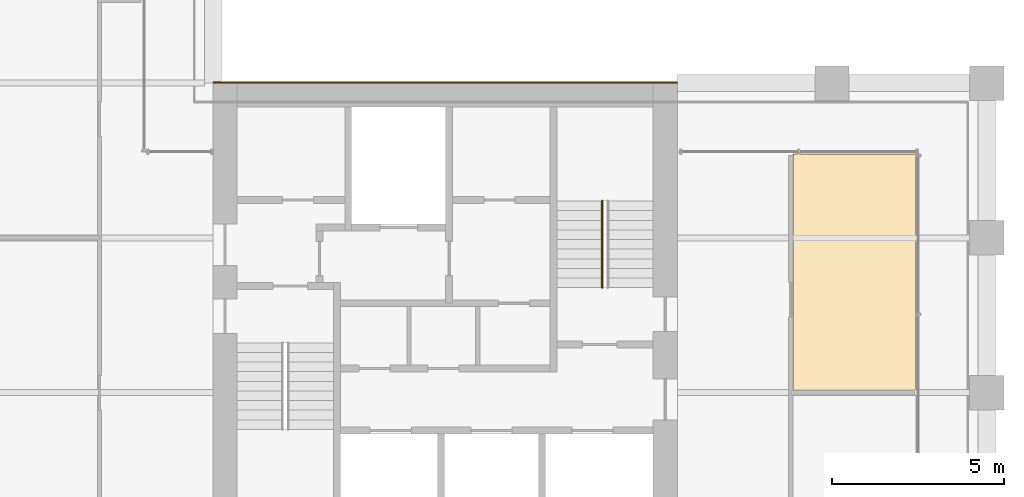
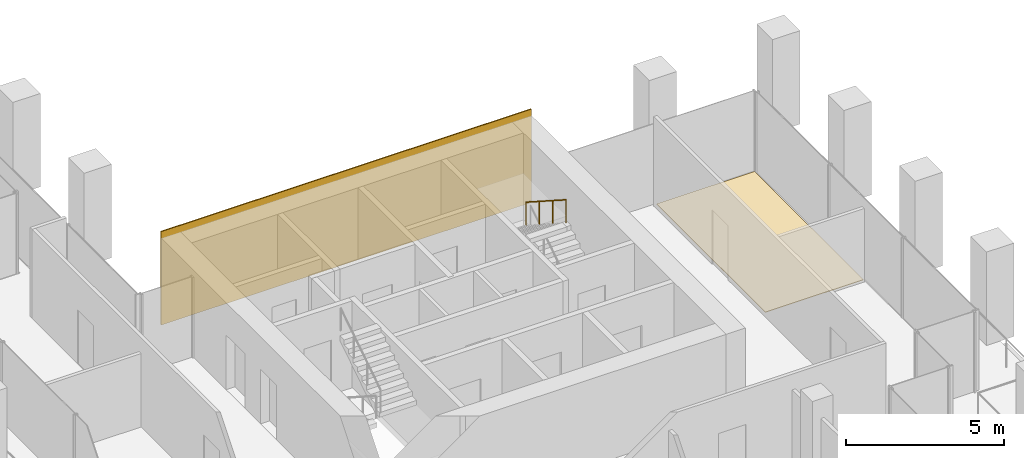
# One storey, part 46 of 46: 2 coverings, 1 railing.
"""IFC4 building model written with IfcOpenShell, lengths in metres."""

import ifcopenshell
import ifcopenshell.guid

model = None  # the IFC model being written
_history = None  # IfcOwnerHistory: only IFC2X3 demands one
_inside = {}  # id of a spatial element -> (the spatial element, [elements in it])
_under = {}  # id of a project, library or spatial element -> (it, [spatial elements below it])
_declared = {}  # id of a project -> (the project, [libraries it declares])
_typed = {}  # id of a type object -> (the type object, [elements of that type])
_made_of = {}  # id of a material, layer set ... -> (it, [elements and type objects made of it])


def new_model(schema):
    """Start an empty IFC model of exactly this schema.

    Asked for "IFC4X3", IfcOpenShell would pick the latest addendum, in which some entities
    have other attributes; the version numbers below select the first issue.
    IFC2X3 requires an IfcOwnerHistory on every rooted entity: one is made here for all.
    """
    global model, _history
    if schema == "IFC4X3":
        model = ifcopenshell.file(schema_version=(4, 3, 0, 0))
    else:
        model = ifcopenshell.file(schema=schema)
    _inside.clear()
    _under.clear()
    _declared.clear()
    _typed.clear()
    _made_of.clear()
    _history = None
    if model.schema == "IFC2X3":
        org = make("IfcOrganization", Name="unknown")
        user = make(
            "IfcPersonAndOrganization",
            ThePerson=make("IfcPerson", FamilyName="unknown"),
            TheOrganization=org,
        )
        app = make(
            "IfcApplication",
            ApplicationDeveloper=org,
            Version="unknown",
            ApplicationFullName="unknown",
            ApplicationIdentifier="unknown",
        )
        _history = make(
            "IfcOwnerHistory",
            OwningUser=user,
            OwningApplication=app,
            ChangeAction="ADDED",
            CreationDate=0,
        )
    return model


def make(cls, **values):
    """One entity of the class cls with the attributes given. An attribute that is None is left unset."""
    return model.create_entity(
        cls, **{name: value for name, value in values.items() if value is not None}
    )


def rooted(cls, **values):
    """An entity with a GlobalId (a new one), such as an element, a storey or a relation."""
    return make(cls, GlobalId=ifcopenshell.guid.new(), OwnerHistory=_history, **values)


def si_unit(unit_type, name, prefix=None):
    """IfcSIUnit, for example si_unit("LENGTHUNIT", "METRE", prefix="MILLI")."""
    return make("IfcSIUnit", UnitType=unit_type, Prefix=prefix, Name=name)


def assignment(units):
    """IfcUnitAssignment: the units of a project."""
    return None if units is None else make("IfcUnitAssignment", Units=units)


def point(xyz):
    """IfcCartesianPoint."""
    return None if xyz is None else make("IfcCartesianPoint", Coordinates=xyz)


def direction(xyz):
    """IfcDirection."""
    return None if xyz is None else make("IfcDirection", DirectionRatios=xyz)


def frame(location, z_axis=None, x_axis=None):
    """IfcAxis2Placement3D, a coordinate frame: its origin and axes. An axis left out is left unset."""
    return make(
        "IfcAxis2Placement3D",
        Location=point(location),
        Axis=direction(z_axis),
        RefDirection=direction(x_axis),
    )


def frame_2d(location, x_axis=None):
    """IfcAxis2Placement2D, a coordinate frame in the plane: its origin and x axis."""
    return make(
        "IfcAxis2Placement2D", Location=point(location), RefDirection=direction(x_axis)
    )


def origin():
    """The frame at (0, 0, 0) with its axes left unset."""
    return frame((0.0, 0.0, 0.0))


def origin_2d():
    """The frame at (0, 0) in the plane with its x axis left unset."""
    return frame_2d((0.0, 0.0))


def place(relative_to, where):
    """IfcLocalPlacement: puts the frame where relative to a parent placement (None: the world)."""
    return make(
        "IfcLocalPlacement", PlacementRelTo=relative_to, RelativePlacement=where
    )


def context(
    kind, dimensions, precision=None, world=None, true_north=None, identifier=None
):
    """IfcGeometricRepresentationContext, for example the 3D "Model" context."""
    return make(
        "IfcGeometricRepresentationContext",
        ContextIdentifier=identifier,
        ContextType=kind,
        CoordinateSpaceDimension=dimensions,
        Precision=precision,
        WorldCoordinateSystem=world,
        TrueNorth=true_north,
    )


def subcontext(parent, identifier, kind, view, scale=None):
    """IfcGeometricRepresentationSubContext, for example "Body" below "Model"."""
    return make(
        "IfcGeometricRepresentationSubContext",
        ContextIdentifier=identifier,
        ContextType=kind,
        ParentContext=parent,
        TargetScale=scale,
        TargetView=view,
    )


def project(units=None, contexts=None):
    """IfcProject with its units and contexts."""
    return rooted(
        "IfcProject",
        Name="project",
        RepresentationContexts=contexts,
        UnitsInContext=assignment(units),
    )


def spatial(cls, under=None, at=None, **own):
    """A site, building, storey or space (cls), placed at a placement, below another one or the project."""
    s = rooted(cls, ObjectPlacement=at, **own)
    if under is not None:
        _under.setdefault(under.id(), (under, []))[1].append(s)
    return s


def polyline(points):
    """IfcPolyline through the points."""
    return make("IfcPolyline", Points=[point(p) for p in points])


def profile(cls, at=None, kind="AREA", **sizes):
    """A parametric profile (cls). Its sizes go by their IFC names, for example OverallWidth=200.0."""
    return make(cls, ProfileType=kind, Position=at, **sizes)


def rectangle(**sizes):
    """IfcRectangleProfileDef."""
    return profile("IfcRectangleProfileDef", **sizes)


def circle(**sizes):
    """IfcCircleProfileDef."""
    return profile("IfcCircleProfileDef", **sizes)


def outline(outer, holes=None, kind="AREA"):
    """IfcArbitraryClosedProfileDef: a profile drawn as a closed curve; with holes, ...WithVoids."""
    if holes is None:
        return make("IfcArbitraryClosedProfileDef", ProfileType=kind, OuterCurve=outer)
    return make(
        "IfcArbitraryProfileDefWithVoids",
        ProfileType=kind,
        OuterCurve=outer,
        InnerCurves=holes,
    )


def extrude(swept, where, along, depth):
    """IfcExtrudedAreaSolid: the profile swept, set in the frame where, extruded along a direction by depth."""
    return make(
        "IfcExtrudedAreaSolid",
        SweptArea=swept,
        Position=where,
        ExtrudedDirection=direction(along),
        Depth=depth,
    )


def shape(context_of_items, identifier, shape_type, items):
    """IfcShapeRepresentation: the items that make up one representation, for example the "Body"."""
    return make(
        "IfcShapeRepresentation",
        ContextOfItems=context_of_items,
        RepresentationIdentifier=identifier,
        RepresentationType=shape_type,
        Items=items,
    )


def source(mapping_origin, context_of_items, identifier, shape_type, items):
    """IfcRepresentationMap: a shape defined once, which mapped items show again and again."""
    return make(
        "IfcRepresentationMap",
        MappingOrigin=mapping_origin,
        MappedRepresentation=shape(context_of_items, identifier, shape_type, items),
    )


def transform(
    local_origin,
    x_axis=None,
    y_axis=None,
    z_axis=None,
    scale=None,
    scale2=None,
    scale3=None,
    uniform=True,
):
    """IfcCartesianTransformationOperator3D, or its non-uniform kind. x_axis, y_axis, z_axis: its Axis1, 2, 3."""
    if uniform:
        return make(
            "IfcCartesianTransformationOperator3D",
            Axis1=direction(x_axis),
            Axis2=direction(y_axis),
            LocalOrigin=point(local_origin),
            Scale=scale,
            Axis3=direction(z_axis),
        )
    return make(
        "IfcCartesianTransformationOperator3DnonUniform",
        Axis1=direction(x_axis),
        Axis2=direction(y_axis),
        LocalOrigin=point(local_origin),
        Scale=scale,
        Axis3=direction(z_axis),
        Scale2=scale2,
        Scale3=scale3,
    )


def mapped(mapping_source, mapping_target):
    """IfcMappedItem: shows the shape of a source again, moved by a transform."""
    return make(
        "IfcMappedItem", MappingSource=mapping_source, MappingTarget=mapping_target
    )


def material(Name=None, Category=None):
    """IfcMaterial."""
    return make("IfcMaterial", Name=Name, Category=Category)


def layer(
    of_material, thickness, ventilated=None, Name=None, Category=None, Priority=None
):
    """IfcMaterialLayer: one layer of a wall or slab, of a material (None: an air gap)."""
    return make(
        "IfcMaterialLayer",
        Material=of_material,
        LayerThickness=thickness,
        IsVentilated=ventilated,
        Name=Name,
        Category=Category,
        Priority=Priority,
    )


def layer_set(layers, Name=None):
    """IfcMaterialLayerSet."""
    return make("IfcMaterialLayerSet", MaterialLayers=layers, LayerSetName=Name)


def made_of(thing, what):
    """Note that an element or type object is made of a material, layer set ...; save() writes the relation."""
    if what is not None:
        _made_of.setdefault(what.id(), (what, []))[1].append(thing)
    return thing


def type_object(cls, material=None, **own):
    """A type object (cls), such as IfcWallType, which elements share."""
    return made_of(rooted(cls, **own), material)


def element(
    cls,
    number,
    at=None,
    inside=None,
    cuts=None,
    type_object=None,
    material=None,
    context=None,
    identifier="Body",
    shape_type=None,
    held_by="IfcProductDefinitionShape",
    body=None,
    shapes=None,
    **own,
):
    """One element of the class cls, such as IfcWall. Its Tag is "e" and its number.

    at: its placement. inside: the storey or other place that contains it. cuts: it is an
    opening in that element (IfcRelVoidsElement). A single representation is given by context,
    identifier, shape_type and body (its items); several are given by shapes. held_by: the class
    of the entity that holds the representations. save() writes the other relations.
    """
    e = rooted(cls, Tag="e%d" % number, ObjectPlacement=at, **own)
    if body is not None:
        shapes = [shape(context, identifier, shape_type, body)]
    if shapes is not None:
        e.Representation = make(held_by, Representations=shapes)
    if inside is not None:
        _inside.setdefault(inside.id(), (inside, []))[1].append(e)
    if cuts is not None:
        rooted(
            "IfcRelVoidsElement", RelatingBuildingElement=cuts, RelatedOpeningElement=e
        )
    if type_object is not None:
        _typed.setdefault(type_object.id(), (type_object, []))[1].append(e)
    return made_of(e, material)


def aggregate(whole, parts):
    """IfcRelAggregates: a whole, such as a stair, and the parts it consists of."""
    return rooted("IfcRelAggregates", RelatingObject=whole, RelatedObjects=parts)


def save(model, path):
    """Write the relations noted so far, then the file.

    IfcRelAggregates (storeys below a building ...), IfcRelContainedInSpatialStructure (elements
    in a storey), IfcRelDefinesByType, IfcRelAssociatesMaterial and IfcRelDeclares: one each for
    every whole, place, type object, material and project.
    """
    for whole, parts in _under.values():
        aggregate(whole, parts)
    for where, things in _inside.values():
        rooted(
            "IfcRelContainedInSpatialStructure",
            RelatedElements=things,
            RelatingStructure=where,
        )
    for kind, things in _typed.values():
        rooted("IfcRelDefinesByType", RelatedObjects=things, RelatingType=kind)
    for what, things in _made_of.values():
        rooted("IfcRelAssociatesMaterial", RelatedObjects=things, RelatingMaterial=what)
    for by, libraries in _declared.values():
        rooted("IfcRelDeclares", RelatingContext=by, RelatedDefinitions=libraries)
    model.write(path)


model = new_model("IFC4")

# Units and contexts
model_context = context("Model", 3, precision=1e-05, world=origin(), true_north=direction((0.0, 1.0)))
body_context = subcontext(model_context, "Body", "Model", "MODEL_VIEW")
ifc_project = project(units=[si_unit("LENGTHUNIT", "METRE"), si_unit("AREAUNIT", "SQUARE_METRE"), si_unit("VOLUMEUNIT", "CUBIC_METRE"), si_unit("PLANEANGLEUNIT", "RADIAN"), si_unit("MASSUNIT", "GRAM", prefix="KILO")], contexts=[model_context])

# Site, building, storey
site_placement = place(None, origin())
site = spatial("IfcSite", under=ifc_project, at=site_placement, CompositionType="ELEMENT")
building_placement = place(site_placement, origin())
building = spatial("IfcBuilding", under=site, at=building_placement, Name="Altepetl Exchange Towers", CompositionType="ELEMENT")
storey_placement = place(building_placement, frame((0.0, 0.0, 124.39990234375)))
storey = spatial("IfcBuildingStorey", under=building, at=storey_placement, Name="L30", CompositionType="ELEMENT", Elevation=124.39990234375)

# Coverings
ifc_material_1 = material(Name="Carpet tile")
ifc_layer_1 = layer(ifc_material_1, 0.02001953125)
ifc_layer_set_1 = layer_set([ifc_layer_1], Name="Carpet tile")
covering_type_1 = type_object("IfcCoveringType", Name="Carpet tile floor", PredefinedType="FLOORING", material=ifc_layer_set_1)
covering_1_placement = place(storey_placement, origin())
element("IfcCovering", 1, at=covering_1_placement, inside=storey, type_object=covering_type_1, Name="Meeting room floor finish B30.06", PredefinedType="FLOORING", context=body_context, shape_type="SweptSolid", body=[
    extrude(outline(polyline([(120.362548828125, 47.4375), (120.362548828125, 40.5625), (123.9375, 40.5625), (123.9375, 47.4375), (120.362548828125, 47.4375)])), origin(), (0.0, 0.0, 1.0), 0.02001953125),
])
ifc_material_2 = material(Name="Cantera limestone cladding", Category="masonry")
ifc_layer_2 = layer(ifc_material_2, 0.0400390625)
ifc_layer_set_2 = layer_set([ifc_layer_2], Name="Cantera limestone cladding")
covering_type_2 = type_object("IfcCoveringType", Name="Stone panel 40 cantera", PredefinedType="CLADDING", material=ifc_layer_set_2)
covering_2_placement = place(storey_placement, frame((110.25, 49.52001953125, 0.0), z_axis=(0.0, 0.0, 1.0), x_axis=(-1.0, 0.0, 0.0)))
element("IfcCovering", 2, at=covering_2_placement, inside=storey, type_object=covering_type_2, Name="Stone cladding panel", PredefinedType="CLADDING", context=body_context, shape_type="SweptSolid", body=[
    extrude(rectangle(XDim=13.5, YDim=0.0400390625, at=origin_2d()), origin(), (0.0, 0.0, 1.0), 3.60009765625),
])

# Railing
ifc_material_3 = material(Name="Steel", Category="steel")
railing_type = type_object("IfcRailingType", Name="Stair handrail 50 steel tube", PredefinedType="HANDRAIL", material=ifc_material_3)
shared_shape = source(origin(), body_context, "Body", "SweptSolid", [
    extrude(circle(Radius=0.02099609375, at=origin_2d()), origin(), (0.0, 0.0, 1.0), 0.851806640625),
])
railing_placement = place(storey_placement, frame((114.820068359375, 46.070068359375, 1.97998046875)))
element("IfcRailing", 3, at=railing_placement, inside=storey, type_object=railing_type, Name="Stair handrail", PredefinedType="HANDRAIL", context=body_context, shape_type="SweptSolid", body=[
    extrude(circle(Radius=0.02392578125, at=origin_2d()), frame((0.0, 0.0, 0.8759765625), z_axis=(0.0, -0.841162588446, 0.540782303519), x_axis=(1.0, 0.0, 0.0)), (0.0, 0.0, 1.0), 2.995849609375),
    mapped(shared_shape, transform((0.0, 0.0, 0.0))),
    mapped(shared_shape, transform((0.0, -0.840087890625, 0.5400390625))),
    mapped(shared_shape, transform((0.0, -1.679931640625, 1.080078125))),
    mapped(shared_shape, transform((0.0, -2.52001953125, 1.6201171875))),
])

save(model, "model.ifc")
